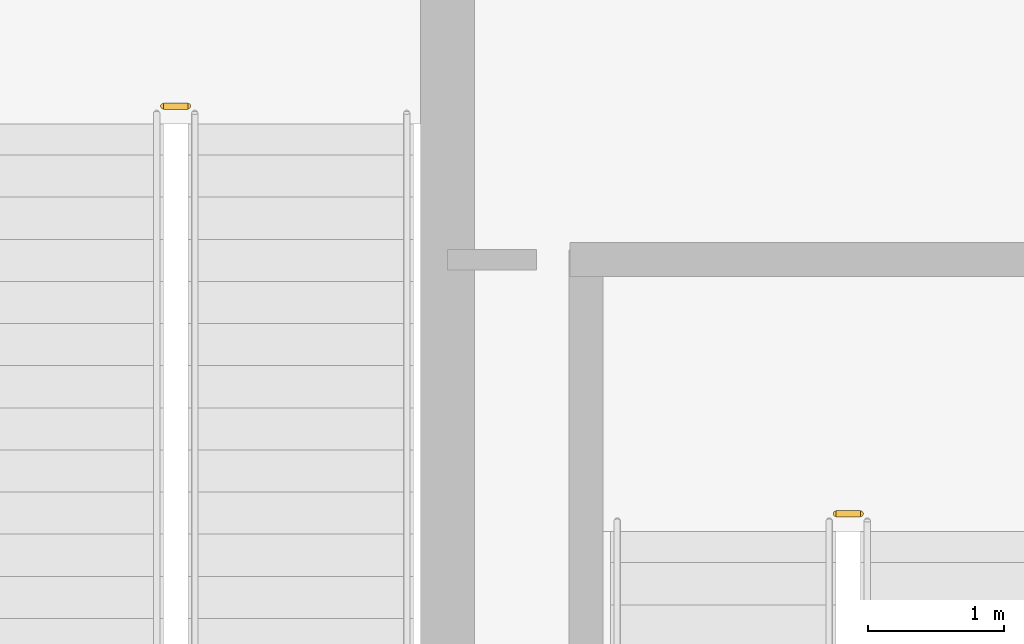
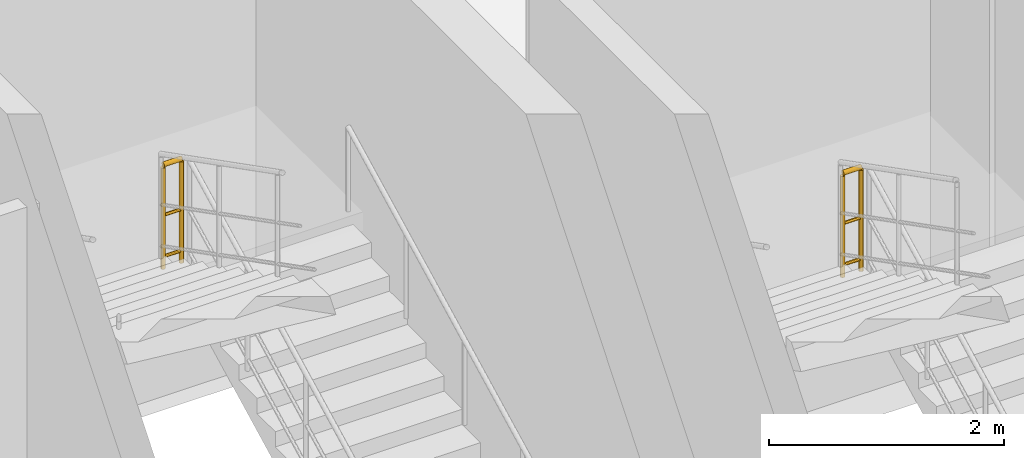
# One storey, part 24 of 24: 2 railings.
"""IFC4 building model written with IfcOpenShell, lengths in metres."""

import ifcopenshell
import ifcopenshell.guid

model = None  # the IFC model being written
_history = None  # IfcOwnerHistory: only IFC2X3 demands one
_inside = {}  # id of a spatial element -> (the spatial element, [elements in it])
_under = {}  # id of a project, library or spatial element -> (it, [spatial elements below it])
_declared = {}  # id of a project -> (the project, [libraries it declares])
_typed = {}  # id of a type object -> (the type object, [elements of that type])
_made_of = {}  # id of a material, layer set ... -> (it, [elements and type objects made of it])


def new_model(schema):
    """Start an empty IFC model of exactly this schema.

    Asked for "IFC4X3", IfcOpenShell would pick the latest addendum, in which some entities
    have other attributes; the version numbers below select the first issue.
    IFC2X3 requires an IfcOwnerHistory on every rooted entity: one is made here for all.
    """
    global model, _history
    if schema == "IFC4X3":
        model = ifcopenshell.file(schema_version=(4, 3, 0, 0))
    else:
        model = ifcopenshell.file(schema=schema)
    _inside.clear()
    _under.clear()
    _declared.clear()
    _typed.clear()
    _made_of.clear()
    _history = None
    if model.schema == "IFC2X3":
        org = make("IfcOrganization", Name="unknown")
        user = make(
            "IfcPersonAndOrganization",
            ThePerson=make("IfcPerson", FamilyName="unknown"),
            TheOrganization=org,
        )
        app = make(
            "IfcApplication",
            ApplicationDeveloper=org,
            Version="unknown",
            ApplicationFullName="unknown",
            ApplicationIdentifier="unknown",
        )
        _history = make(
            "IfcOwnerHistory",
            OwningUser=user,
            OwningApplication=app,
            ChangeAction="ADDED",
            CreationDate=0,
        )
    return model


def make(cls, **values):
    """One entity of the class cls with the attributes given. An attribute that is None is left unset."""
    return model.create_entity(
        cls, **{name: value for name, value in values.items() if value is not None}
    )


def rooted(cls, **values):
    """An entity with a GlobalId (a new one), such as an element, a storey or a relation."""
    return make(cls, GlobalId=ifcopenshell.guid.new(), OwnerHistory=_history, **values)


def si_unit(unit_type, name, prefix=None):
    """IfcSIUnit, for example si_unit("LENGTHUNIT", "METRE", prefix="MILLI")."""
    return make("IfcSIUnit", UnitType=unit_type, Prefix=prefix, Name=name)


def assignment(units):
    """IfcUnitAssignment: the units of a project."""
    return None if units is None else make("IfcUnitAssignment", Units=units)


def point(xyz):
    """IfcCartesianPoint."""
    return None if xyz is None else make("IfcCartesianPoint", Coordinates=xyz)


def direction(xyz):
    """IfcDirection."""
    return None if xyz is None else make("IfcDirection", DirectionRatios=xyz)


def frame(location, z_axis=None, x_axis=None):
    """IfcAxis2Placement3D, a coordinate frame: its origin and axes. An axis left out is left unset."""
    return make(
        "IfcAxis2Placement3D",
        Location=point(location),
        Axis=direction(z_axis),
        RefDirection=direction(x_axis),
    )


def frame_2d(location, x_axis=None):
    """IfcAxis2Placement2D, a coordinate frame in the plane: its origin and x axis."""
    return make(
        "IfcAxis2Placement2D", Location=point(location), RefDirection=direction(x_axis)
    )


def origin():
    """The frame at (0, 0, 0) with its axes left unset."""
    return frame((0.0, 0.0, 0.0))


def origin_2d():
    """The frame at (0, 0) in the plane with its x axis left unset."""
    return frame_2d((0.0, 0.0))


def place(relative_to, where):
    """IfcLocalPlacement: puts the frame where relative to a parent placement (None: the world)."""
    return make(
        "IfcLocalPlacement", PlacementRelTo=relative_to, RelativePlacement=where
    )


def context(
    kind, dimensions, precision=None, world=None, true_north=None, identifier=None
):
    """IfcGeometricRepresentationContext, for example the 3D "Model" context."""
    return make(
        "IfcGeometricRepresentationContext",
        ContextIdentifier=identifier,
        ContextType=kind,
        CoordinateSpaceDimension=dimensions,
        Precision=precision,
        WorldCoordinateSystem=world,
        TrueNorth=true_north,
    )


def subcontext(parent, identifier, kind, view, scale=None):
    """IfcGeometricRepresentationSubContext, for example "Body" below "Model"."""
    return make(
        "IfcGeometricRepresentationSubContext",
        ContextIdentifier=identifier,
        ContextType=kind,
        ParentContext=parent,
        TargetScale=scale,
        TargetView=view,
    )


def project(units=None, contexts=None):
    """IfcProject with its units and contexts."""
    return rooted(
        "IfcProject",
        Name="project",
        RepresentationContexts=contexts,
        UnitsInContext=assignment(units),
    )


def spatial(cls, under=None, at=None, **own):
    """A site, building, storey or space (cls), placed at a placement, below another one or the project."""
    s = rooted(cls, ObjectPlacement=at, **own)
    if under is not None:
        _under.setdefault(under.id(), (under, []))[1].append(s)
    return s


def profile(cls, at=None, kind="AREA", **sizes):
    """A parametric profile (cls). Its sizes go by their IFC names, for example OverallWidth=200.0."""
    return make(cls, ProfileType=kind, Position=at, **sizes)


def circle(**sizes):
    """IfcCircleProfileDef."""
    return profile("IfcCircleProfileDef", **sizes)


def extrude(swept, where, along, depth):
    """IfcExtrudedAreaSolid: the profile swept, set in the frame where, extruded along a direction by depth."""
    return make(
        "IfcExtrudedAreaSolid",
        SweptArea=swept,
        Position=where,
        ExtrudedDirection=direction(along),
        Depth=depth,
    )


def shape(context_of_items, identifier, shape_type, items):
    """IfcShapeRepresentation: the items that make up one representation, for example the "Body"."""
    return make(
        "IfcShapeRepresentation",
        ContextOfItems=context_of_items,
        RepresentationIdentifier=identifier,
        RepresentationType=shape_type,
        Items=items,
    )


def material(Name=None, Category=None):
    """IfcMaterial."""
    return make("IfcMaterial", Name=Name, Category=Category)


def made_of(thing, what):
    """Note that an element or type object is made of a material, layer set ...; save() writes the relation."""
    if what is not None:
        _made_of.setdefault(what.id(), (what, []))[1].append(thing)
    return thing


def type_object(cls, material=None, **own):
    """A type object (cls), such as IfcWallType, which elements share."""
    return made_of(rooted(cls, **own), material)


def element(
    cls,
    number,
    at=None,
    inside=None,
    cuts=None,
    type_object=None,
    material=None,
    context=None,
    identifier="Body",
    shape_type=None,
    held_by="IfcProductDefinitionShape",
    body=None,
    shapes=None,
    **own,
):
    """One element of the class cls, such as IfcWall. Its Tag is "e" and its number.

    at: its placement. inside: the storey or other place that contains it. cuts: it is an
    opening in that element (IfcRelVoidsElement). A single representation is given by context,
    identifier, shape_type and body (its items); several are given by shapes. held_by: the class
    of the entity that holds the representations. save() writes the other relations.
    """
    e = rooted(cls, Tag="e%d" % number, ObjectPlacement=at, **own)
    if body is not None:
        shapes = [shape(context, identifier, shape_type, body)]
    if shapes is not None:
        e.Representation = make(held_by, Representations=shapes)
    if inside is not None:
        _inside.setdefault(inside.id(), (inside, []))[1].append(e)
    if cuts is not None:
        rooted(
            "IfcRelVoidsElement", RelatingBuildingElement=cuts, RelatedOpeningElement=e
        )
    if type_object is not None:
        _typed.setdefault(type_object.id(), (type_object, []))[1].append(e)
    return made_of(e, material)


def aggregate(whole, parts):
    """IfcRelAggregates: a whole, such as a stair, and the parts it consists of."""
    return rooted("IfcRelAggregates", RelatingObject=whole, RelatedObjects=parts)


def save(model, path):
    """Write the relations noted so far, then the file.

    IfcRelAggregates (storeys below a building ...), IfcRelContainedInSpatialStructure (elements
    in a storey), IfcRelDefinesByType, IfcRelAssociatesMaterial and IfcRelDeclares: one each for
    every whole, place, type object, material and project.
    """
    for whole, parts in _under.values():
        aggregate(whole, parts)
    for where, things in _inside.values():
        rooted(
            "IfcRelContainedInSpatialStructure",
            RelatedElements=things,
            RelatingStructure=where,
        )
    for kind, things in _typed.values():
        rooted("IfcRelDefinesByType", RelatedObjects=things, RelatingType=kind)
    for what, things in _made_of.values():
        rooted("IfcRelAssociatesMaterial", RelatedObjects=things, RelatingMaterial=what)
    for by, libraries in _declared.values():
        rooted("IfcRelDeclares", RelatingContext=by, RelatedDefinitions=libraries)
    model.write(path)


model = new_model("IFC4")

# Units and contexts
model_context = context("Model", 3, precision=1e-05, world=origin(), true_north=direction((0.0, 1.0)))
body_context = subcontext(model_context, "Body", "Model", "MODEL_VIEW")
ifc_project = project(units=[si_unit("LENGTHUNIT", "METRE"), si_unit("AREAUNIT", "SQUARE_METRE"), si_unit("VOLUMEUNIT", "CUBIC_METRE"), si_unit("PLANEANGLEUNIT", "RADIAN"), si_unit("MASSUNIT", "GRAM", prefix="KILO")], contexts=[model_context])

# Site, building, storey
site_placement = place(None, origin())
site = spatial("IfcSite", under=ifc_project, at=site_placement, CompositionType="ELEMENT")
building_placement = place(site_placement, origin())
building = spatial("IfcBuilding", under=site, at=building_placement, Name="Catumbela Crestline Tower", CompositionType="ELEMENT")
storey_placement = place(building_placement, frame((0.0, 0.0, 15.9)))
storey = spatial("IfcBuildingStorey", under=building, at=storey_placement, Name="L03", CompositionType="ELEMENT", Elevation=15.9)

# Railings
ifc_material = material(Name="Stainless steel EN 1.4401", Category="steel")
railing_type = type_object("IfcRailingType", Name="RG-1100", PredefinedType="GUARDRAIL", material=ifc_material)
for number, where, name in (
    (1, (38.09, 41.01, 2.7), "L03 ST-02 stair guard 2"),
    (2, (43.04, 38.01, 2.7), "L03 ST-04 stair guard 2"),
):
    element("IfcRailing", number, at=place(storey_placement, frame(where)), inside=storey, type_object=railing_type, Name=name, PredefinedType="GUARDRAIL", context=body_context, shape_type="SweptSolid", body=[
        extrude(circle(Radius=0.024, at=origin_2d()), frame((0.0, 0.0, 1.076), z_axis=(-1.0, 0.0, 0.0), x_axis=(0.0, -1.0, 0.0)), (0.0, 0.0, 1.0), 0.18),
        extrude(circle(Radius=0.0156, at=origin_2d()), frame((0.0, 0.0, 0.55), z_axis=(-1.0, 0.0, 0.0), x_axis=(0.0, -1.0, 0.0)), (0.0, 0.0, 1.0), 0.18),
        extrude(circle(Radius=0.0156, at=origin_2d()), frame((0.0, 0.0, 0.12), z_axis=(-1.0, 0.0, 0.0), x_axis=(0.0, -1.0, 0.0)), (0.0, 0.0, 1.0), 0.18),
        extrude(circle(Radius=0.021, at=origin_2d()), origin(), (0.0, 0.0, 1.0), 1.052),
        extrude(circle(Radius=0.021, at=origin_2d()), frame((-0.18, 0.0, 0.0)), (0.0, 0.0, 1.0), 1.052),
    ])

save(model, "model.ifc")
